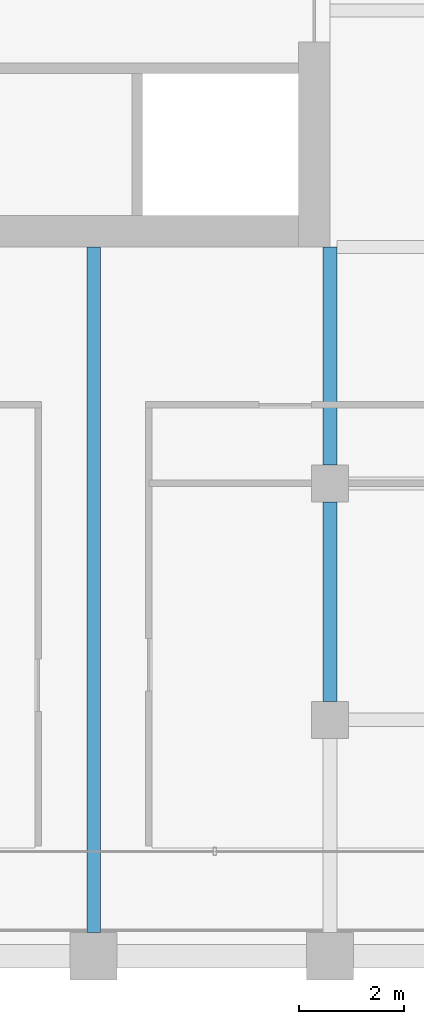
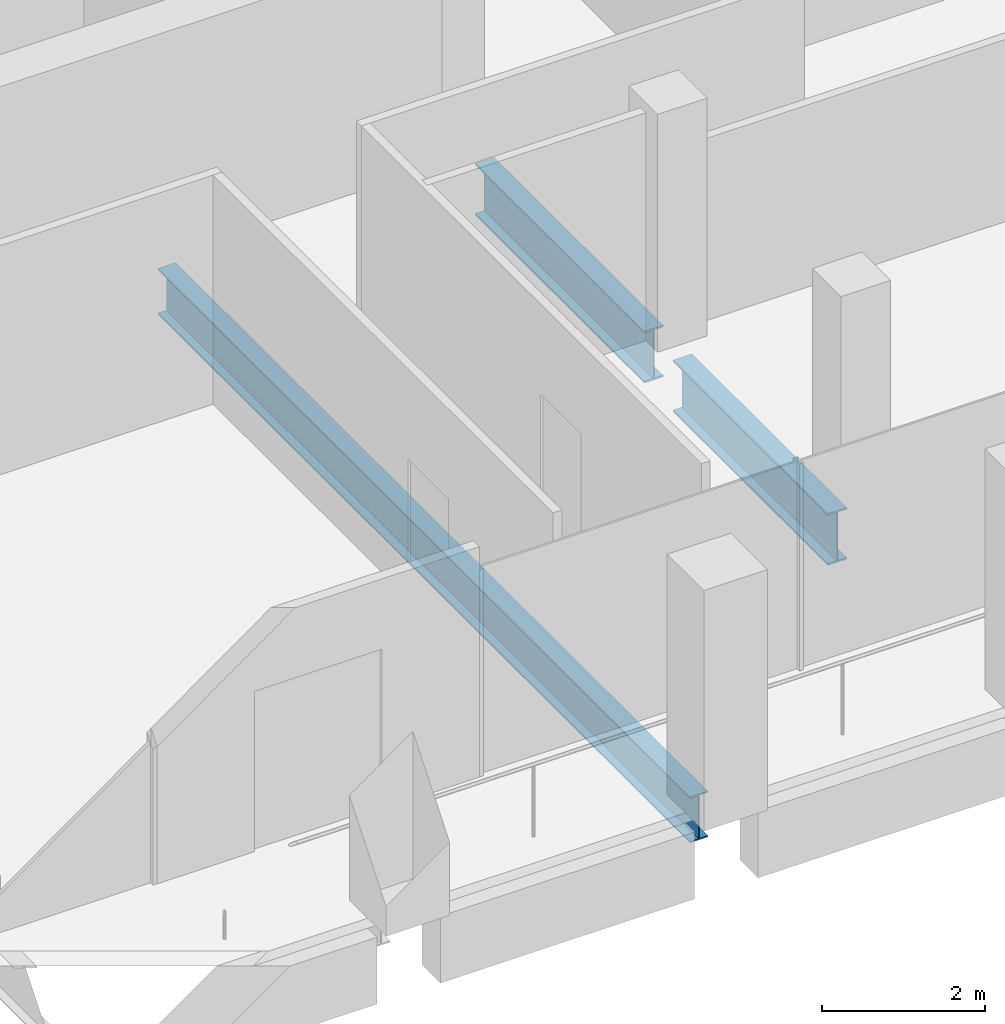
# One storey, part 10 of 40: 3 beams.
"""IFC4 building model written with IfcOpenShell, lengths in metres."""

from ifc_helpers import new_model, si_unit, direction, frame, origin, origin_2d, place, context, subcontext, project, spatial, i_section, extrude, material, material_profile, profile_set, type_object, element, save


model = new_model("IFC4")

# Units and contexts
model_context = context("Model", 3, precision=1e-05, world=origin(), true_north=direction((0.0, 1.0)))
body_context = subcontext(model_context, "Body", "Model", "MODEL_VIEW")
ifc_project = project(units=[si_unit("LENGTHUNIT", "METRE"), si_unit("AREAUNIT", "SQUARE_METRE"), si_unit("VOLUMEUNIT", "CUBIC_METRE"), si_unit("PLANEANGLEUNIT", "RADIAN"), si_unit("MASSUNIT", "GRAM", prefix="KILO")], contexts=[model_context])

# Site, building, storey
site_placement = place(None, origin())
site = spatial("IfcSite", under=ifc_project, at=site_placement, CompositionType="ELEMENT")
building_placement = place(site_placement, origin())
building = spatial("IfcBuilding", under=site, at=building_placement, Name="Altepetl Exchange Towers", CompositionType="ELEMENT")
storey_placement = place(building_placement, frame((0.0, 0.0, 183.39990234375)))
storey = spatial("IfcBuildingStorey", under=building, at=storey_placement, Name="L46", CompositionType="ELEMENT", Elevation=183.39990234375)

# Beams
ifc_material = material(Name="Steel S355", Category="steel")
ifc_material_profile_1 = material_profile(ifc_material, i_section(OverallWidth=0.25390625, OverallDepth=0.68408203125, WebThickness=0.012451171875, FlangeThickness=0.018798828125, at=origin_2d()), Name="W27X94")
ifc_profile_set_1 = profile_set([ifc_material_profile_1], Name="Steel S355")
beam_type_1 = type_object("IfcBeamType", Name="Floor beam W27X94", PredefinedType="BEAM", material=ifc_profile_set_1)
beam_1_placement = place(storey_placement, frame((54.0, 27.449951171875, -0.491943359375), z_axis=(0.0, 1.0, 0.0), x_axis=(-1.0, 0.0, 0.0)))
element("IfcBeam", 1, at=beam_1_placement, inside=storey, type_object=beam_type_1, Name="bm:A:L46:017", PredefinedType="BEAM", context=body_context, shape_type="SweptSolid", body=[
    extrude(i_section(OverallWidth=0.25390625, OverallDepth=0.68408203125, WebThickness=0.012451171875, FlangeThickness=0.018798828125, at=origin_2d()), origin(), (0.0, 0.0, 1.0), 13.050048828125),
])
ifc_material_profile_2 = material_profile(ifc_material, i_section(OverallWidth=0.26806640625, OverallDepth=0.77392578125, WebThickness=0.015380859375, FlangeThickness=0.025390625, at=origin_2d()), Name="W30X132")
ifc_profile_set_2 = profile_set([ifc_material_profile_2], Name="Steel S355")
beam_type_2 = type_object("IfcBeamType", Name="Girder W30X132", PredefinedType="BEAM", material=ifc_profile_set_2)
beam_2_placement = place(storey_placement, frame((58.5, 40.5, -0.536865234375), z_axis=(0.0, -1.0, 0.0), x_axis=(1.0, 0.0, 0.0)))
element("IfcBeam", 2, at=beam_2_placement, inside=storey, type_object=beam_type_2, Name="gd:A:L46:003", PredefinedType="BEAM", context=body_context, shape_type="SweptSolid", body=[
    extrude(i_section(OverallWidth=0.26806640625, OverallDepth=0.77392578125, WebThickness=0.015380859375, FlangeThickness=0.025390625, at=origin_2d()), origin(), (0.0, 0.0, 1.0), 4.14990234375),
])
beam_3_placement = place(storey_placement, frame((58.5, 35.64990234375, -0.536865234375), z_axis=(0.0, -1.0, 0.0), x_axis=(1.0, 0.0, 0.0)))
element("IfcBeam", 3, at=beam_3_placement, inside=storey, type_object=beam_type_2, Name="gd:A:L46:004", PredefinedType="BEAM", context=body_context, shape_type="SweptSolid", body=[
    extrude(i_section(OverallWidth=0.26806640625, OverallDepth=0.77392578125, WebThickness=0.015380859375, FlangeThickness=0.025390625, at=origin_2d()), origin(), (0.0, 0.0, 1.0), 3.7998046875),
])

save(model, "model.ifc")
